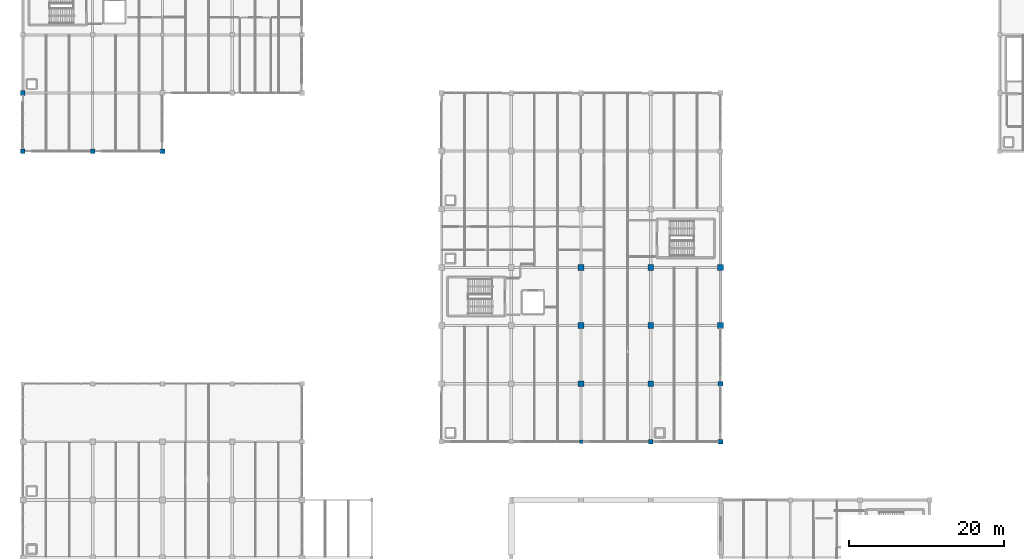
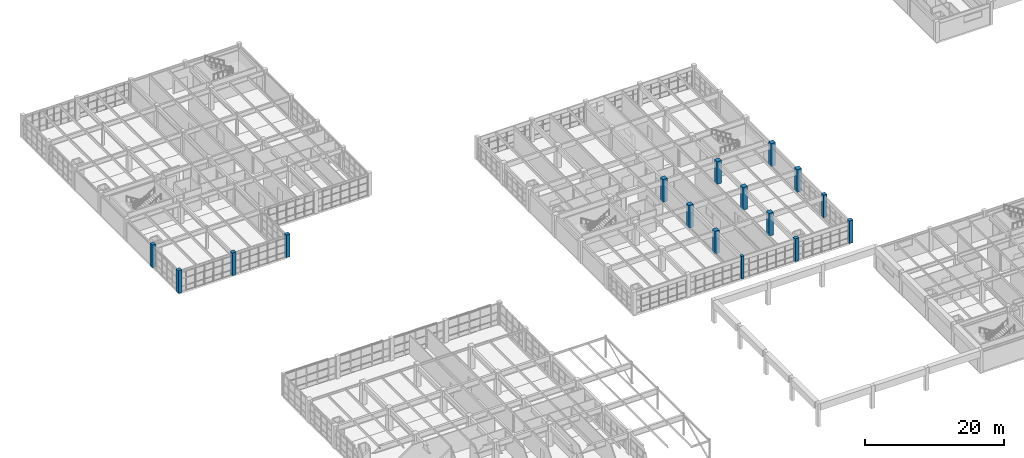
# One storey, part 6 of 76: 16 columns.
"""IFC4 building model written with IfcOpenShell, lengths in metres."""

from ifc_helpers import new_model, si_unit, direction, frame, origin, origin_2d, place, context, subcontext, project, spatial, rectangle, extrude, material, material_profile, profile_set, type_object, element, save


model = new_model("IFC4")

# Units and contexts
model_context = context("Model", 3, precision=1e-05, world=origin(), true_north=direction((0.0, 1.0)))
body_context = subcontext(model_context, "Body", "Model", "MODEL_VIEW")
ifc_project = project(units=[si_unit("LENGTHUNIT", "METRE"), si_unit("AREAUNIT", "SQUARE_METRE"), si_unit("VOLUMEUNIT", "CUBIC_METRE"), si_unit("PLANEANGLEUNIT", "RADIAN"), si_unit("MASSUNIT", "GRAM", prefix="KILO")], contexts=[model_context])

# Site, building, storey
site_placement = place(None, origin())
site = spatial("IfcSite", under=ifc_project, at=site_placement, CompositionType="ELEMENT")
building_placement = place(site_placement, origin())
building = spatial("IfcBuilding", under=site, at=building_placement, Name="Marnridge Secondary College", CompositionType="ELEMENT")
storey_placement = place(building_placement, frame((0.0, 0.0, 4.5)))
storey = spatial("IfcBuildingStorey", under=building, at=storey_placement, Name="L01", CompositionType="ELEMENT", Elevation=4.5)

# Columns
ifc_material_1 = material(Name="Concrete C40/50 (AS 3600 N40, 40 MPa)", Category="concrete")
ifc_material_profile_1 = material_profile(ifc_material_1, rectangle(XDim=0.449951171875, YDim=0.449951171875, at=origin_2d()), Name="RC 450x450")
ifc_profile_set_1 = profile_set([ifc_material_profile_1], Name="Concrete C40/50 (AS 3600 N40, 40 MPa)")
column_type_1 = type_object("IfcColumnType", Name="CL-RC450-EXT", PredefinedType="COLUMN", material=ifc_profile_set_1)
column_placement = place(storey_placement, frame((72.0, 37.5, 0.0), z_axis=(0.0, 0.0, 1.0), x_axis=(1.0, 0.0, 0.0)))
element("IfcColumn", 1, at=column_placement, inside=storey, type_object=column_type_1, Name="Column C-L01-0271", PredefinedType="COLUMN", context=body_context, shape_type="SweptSolid", body=[
    extrude(rectangle(XDim=0.449951171875, YDim=0.449951171875, at=origin_2d()), origin(), (0.0, 0.0, 1.0), 4.0),
])
ifc_material_2 = material(Name="Concrete C40/50 (AS 3600 N40, 40 MPa)", Category="concrete")
ifc_material_profile_2 = material_profile(ifc_material_2, rectangle(XDim=0.60009765625, YDim=0.60009765625, at=origin_2d()), Name="RC 600x600")
ifc_profile_set_2 = profile_set([ifc_material_profile_2], Name="Concrete C40/50 (AS 3600 N40, 40 MPa)")
column_type_2 = type_object("IfcColumnType", Name="CL-RC600-EXT", PredefinedType="COLUMN", material=ifc_profile_set_2)
for number, where, z_axis, x_axis, name in (
    (2, (81.0, 37.5, 0.0), (0.0, 0.0, 1.0), (1.0, 0.0, 0.0), "Column C-L01-0274"),
    (3, (90.0, 37.5, 0.0), (0.0, 0.0, 1.0), (1.0, 0.0, 0.0), "Column C-L01-0277"),
    (4, (90.0, 45.0, 0.0), (0.0, 0.0, 1.0), (1.0, 0.0, 0.0), "Column C-L01-0311"),
    (5, (0.0, 75.0, 0.0), (0.0, 0.0, 1.0), (1.0, 0.0, 0.0), "Column C-L01-0422"),
    (6, (9.0, 75.0, 0.0), (0.0, 0.0, 1.0), (1.0, 0.0, 0.0), "Column C-L01-0425"),
    (7, (18.0, 75.0, 0.0), (0.0, 0.0, 1.0), (1.0, 0.0, 0.0), "Column C-L01-0428"),
    (8, (0.0, 82.5, 0.0), (0.0, 0.0, 1.0), (1.0, 0.0, 0.0), "Column C-L01-0465"),
):
    element("IfcColumn", number, at=place(storey_placement, frame(where, z_axis=z_axis, x_axis=x_axis)), inside=storey, type_object=column_type_2, Name=name, PredefinedType="COLUMN", context=body_context, shape_type="SweptSolid", body=[
        extrude(rectangle(XDim=0.60009765625, YDim=0.60009765625, at=origin_2d()), origin(), (0.0, 0.0, 1.0), 4.0),
    ])
ifc_material_3 = material(Name="Concrete C50/60 (AS 3600 N50, 50 MPa)", Category="concrete")
ifc_material_profile_3 = material_profile(ifc_material_3, rectangle(XDim=0.75, YDim=0.75, at=origin_2d()), Name="RC 750x750")
ifc_profile_set_3 = profile_set([ifc_material_profile_3], Name="Concrete C50/60 (AS 3600 N50, 50 MPa)")
column_type_3 = type_object("IfcColumnType", Name="CL-RC750-EXT", PredefinedType="COLUMN", material=ifc_profile_set_3)
for number, where, z_axis, x_axis, name in (
    (9, (72.0, 45.0, 0.0), (0.0, 0.0, 1.0), (1.0, 0.0, 0.0), "Column C-L01-0301"),
    (10, (81.0, 45.0, 0.0), (0.0, 0.0, 1.0), (1.0, 0.0, 0.0), "Column C-L01-0306"),
    (11, (72.0, 52.5, 0.0), (0.0, 0.0, 1.0), (1.0, 0.0, 0.0), "Column C-L01-0331"),
    (12, (81.0, 52.5, 0.0), (0.0, 0.0, 1.0), (1.0, 0.0, 0.0), "Column C-L01-0338"),
    (13, (90.0, 52.5, 0.0), (0.0, 0.0, 1.0), (1.0, 0.0, 0.0), "Column C-L01-0345"),
    (14, (90.0, 60.0, 0.0), (0.0, 0.0, 1.0), (1.0, 0.0, 0.0), "Column C-L01-0380"),
):
    element("IfcColumn", number, at=place(storey_placement, frame(where, z_axis=z_axis, x_axis=x_axis)), inside=storey, type_object=column_type_3, Name=name, PredefinedType="COLUMN", context=body_context, shape_type="SweptSolid", body=[
        extrude(rectangle(XDim=0.75, YDim=0.75, at=origin_2d()), origin(), (0.0, 0.0, 1.0), 4.0),
    ])
ifc_material_4 = material(Name="Concrete C50/60 (AS 3600 N50, 50 MPa)", Category="concrete")
ifc_material_profile_4 = material_profile(ifc_material_4, rectangle(XDim=0.75, YDim=0.75, at=origin_2d()), Name="RC 750x750")
ifc_profile_set_4 = profile_set([ifc_material_profile_4], Name="Concrete C50/60 (AS 3600 N50, 50 MPa)")
column_type_4 = type_object("IfcColumnType", Name="CL-RC750-INT", PredefinedType="COLUMN", material=ifc_profile_set_4)
for number, where, z_axis, x_axis, name in (
    (15, (72.0, 60.0, 0.0), (0.0, 0.0, 1.0), (1.0, 0.0, 0.0), "Column C-L01-0366"),
    (16, (81.0, 60.0, 0.0), (0.0, 0.0, 1.0), (1.0, 0.0, 0.0), "Column C-L01-0373"),
):
    element("IfcColumn", number, at=place(storey_placement, frame(where, z_axis=z_axis, x_axis=x_axis)), inside=storey, type_object=column_type_4, Name=name, PredefinedType="COLUMN", context=body_context, shape_type="SweptSolid", body=[
        extrude(rectangle(XDim=0.75, YDim=0.75, at=origin_2d()), origin(), (0.0, 0.0, 1.0), 4.0),
    ])

save(model, "model.ifc")
